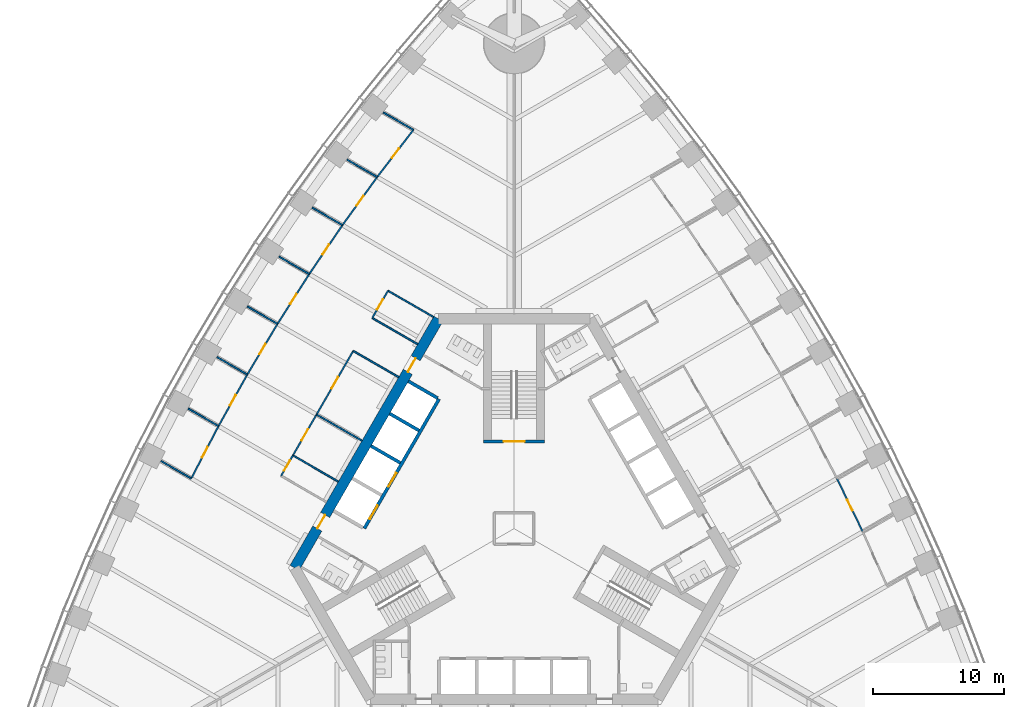
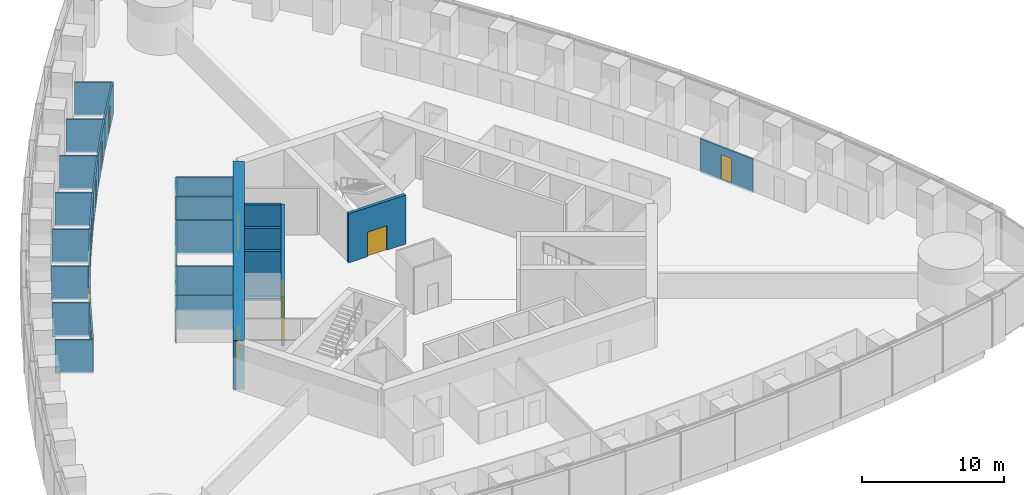
# One storey, part 12 of 19: 31 walls, 17 doors, 17 openings.
"""IFC4 building model written with IfcOpenShell, lengths in metres."""

import ifcopenshell
import ifcopenshell.guid

model = None  # the IFC model being written
_history = None  # IfcOwnerHistory: only IFC2X3 demands one
_inside = {}  # id of a spatial element -> (the spatial element, [elements in it])
_under = {}  # id of a project, library or spatial element -> (it, [spatial elements below it])
_declared = {}  # id of a project -> (the project, [libraries it declares])
_typed = {}  # id of a type object -> (the type object, [elements of that type])
_made_of = {}  # id of a material, layer set ... -> (it, [elements and type objects made of it])


def new_model(schema):
    """Start an empty IFC model of exactly this schema.

    Asked for "IFC4X3", IfcOpenShell would pick the latest addendum, in which some entities
    have other attributes; the version numbers below select the first issue.
    IFC2X3 requires an IfcOwnerHistory on every rooted entity: one is made here for all.
    """
    global model, _history
    if schema == "IFC4X3":
        model = ifcopenshell.file(schema_version=(4, 3, 0, 0))
    else:
        model = ifcopenshell.file(schema=schema)
    _inside.clear()
    _under.clear()
    _declared.clear()
    _typed.clear()
    _made_of.clear()
    _history = None
    if model.schema == "IFC2X3":
        org = make("IfcOrganization", Name="unknown")
        user = make(
            "IfcPersonAndOrganization",
            ThePerson=make("IfcPerson", FamilyName="unknown"),
            TheOrganization=org,
        )
        app = make(
            "IfcApplication",
            ApplicationDeveloper=org,
            Version="unknown",
            ApplicationFullName="unknown",
            ApplicationIdentifier="unknown",
        )
        _history = make(
            "IfcOwnerHistory",
            OwningUser=user,
            OwningApplication=app,
            ChangeAction="ADDED",
            CreationDate=0,
        )
    return model


def make(cls, **values):
    """One entity of the class cls with the attributes given. An attribute that is None is left unset."""
    return model.create_entity(
        cls, **{name: value for name, value in values.items() if value is not None}
    )


def rooted(cls, **values):
    """An entity with a GlobalId (a new one), such as an element, a storey or a relation."""
    return make(cls, GlobalId=ifcopenshell.guid.new(), OwnerHistory=_history, **values)


def si_unit(unit_type, name, prefix=None):
    """IfcSIUnit, for example si_unit("LENGTHUNIT", "METRE", prefix="MILLI")."""
    return make("IfcSIUnit", UnitType=unit_type, Prefix=prefix, Name=name)


def assignment(units):
    """IfcUnitAssignment: the units of a project."""
    return None if units is None else make("IfcUnitAssignment", Units=units)


def point(xyz):
    """IfcCartesianPoint."""
    return None if xyz is None else make("IfcCartesianPoint", Coordinates=xyz)


def direction(xyz):
    """IfcDirection."""
    return None if xyz is None else make("IfcDirection", DirectionRatios=xyz)


def frame(location, z_axis=None, x_axis=None):
    """IfcAxis2Placement3D, a coordinate frame: its origin and axes. An axis left out is left unset."""
    return make(
        "IfcAxis2Placement3D",
        Location=point(location),
        Axis=direction(z_axis),
        RefDirection=direction(x_axis),
    )


def frame_2d(location, x_axis=None):
    """IfcAxis2Placement2D, a coordinate frame in the plane: its origin and x axis."""
    return make(
        "IfcAxis2Placement2D", Location=point(location), RefDirection=direction(x_axis)
    )


def origin():
    """The frame at (0, 0, 0) with its axes left unset."""
    return frame((0.0, 0.0, 0.0))


def place(relative_to, where):
    """IfcLocalPlacement: puts the frame where relative to a parent placement (None: the world)."""
    return make(
        "IfcLocalPlacement", PlacementRelTo=relative_to, RelativePlacement=where
    )


def context(
    kind, dimensions, precision=None, world=None, true_north=None, identifier=None
):
    """IfcGeometricRepresentationContext, for example the 3D "Model" context."""
    return make(
        "IfcGeometricRepresentationContext",
        ContextIdentifier=identifier,
        ContextType=kind,
        CoordinateSpaceDimension=dimensions,
        Precision=precision,
        WorldCoordinateSystem=world,
        TrueNorth=true_north,
    )


def subcontext(parent, identifier, kind, view, scale=None):
    """IfcGeometricRepresentationSubContext, for example "Body" below "Model"."""
    return make(
        "IfcGeometricRepresentationSubContext",
        ContextIdentifier=identifier,
        ContextType=kind,
        ParentContext=parent,
        TargetScale=scale,
        TargetView=view,
    )


def project(units=None, contexts=None):
    """IfcProject with its units and contexts."""
    return rooted(
        "IfcProject",
        Name="project",
        RepresentationContexts=contexts,
        UnitsInContext=assignment(units),
    )


def spatial(cls, under=None, at=None, **own):
    """A site, building, storey or space (cls), placed at a placement, below another one or the project."""
    s = rooted(cls, ObjectPlacement=at, **own)
    if under is not None:
        _under.setdefault(under.id(), (under, []))[1].append(s)
    return s


def profile(cls, at=None, kind="AREA", **sizes):
    """A parametric profile (cls). Its sizes go by their IFC names, for example OverallWidth=200.0."""
    return make(cls, ProfileType=kind, Position=at, **sizes)


def rectangle(**sizes):
    """IfcRectangleProfileDef."""
    return profile("IfcRectangleProfileDef", **sizes)


def extrude(swept, where, along, depth):
    """IfcExtrudedAreaSolid: the profile swept, set in the frame where, extruded along a direction by depth."""
    return make(
        "IfcExtrudedAreaSolid",
        SweptArea=swept,
        Position=where,
        ExtrudedDirection=direction(along),
        Depth=depth,
    )


def shape(context_of_items, identifier, shape_type, items):
    """IfcShapeRepresentation: the items that make up one representation, for example the "Body"."""
    return make(
        "IfcShapeRepresentation",
        ContextOfItems=context_of_items,
        RepresentationIdentifier=identifier,
        RepresentationType=shape_type,
        Items=items,
    )


def material(Name=None, Category=None):
    """IfcMaterial."""
    return make("IfcMaterial", Name=Name, Category=Category)


def layer(
    of_material, thickness, ventilated=None, Name=None, Category=None, Priority=None
):
    """IfcMaterialLayer: one layer of a wall or slab, of a material (None: an air gap)."""
    return make(
        "IfcMaterialLayer",
        Material=of_material,
        LayerThickness=thickness,
        IsVentilated=ventilated,
        Name=Name,
        Category=Category,
        Priority=Priority,
    )


def layer_set(layers, Name=None):
    """IfcMaterialLayerSet."""
    return make("IfcMaterialLayerSet", MaterialLayers=layers, LayerSetName=Name)


def made_of(thing, what):
    """Note that an element or type object is made of a material, layer set ...; save() writes the relation."""
    if what is not None:
        _made_of.setdefault(what.id(), (what, []))[1].append(thing)
    return thing


def type_object(cls, material=None, **own):
    """A type object (cls), such as IfcWallType, which elements share."""
    return made_of(rooted(cls, **own), material)


def element(
    cls,
    number,
    at=None,
    inside=None,
    cuts=None,
    type_object=None,
    material=None,
    context=None,
    identifier="Body",
    shape_type=None,
    held_by="IfcProductDefinitionShape",
    body=None,
    shapes=None,
    **own,
):
    """One element of the class cls, such as IfcWall. Its Tag is "e" and its number.

    at: its placement. inside: the storey or other place that contains it. cuts: it is an
    opening in that element (IfcRelVoidsElement). A single representation is given by context,
    identifier, shape_type and body (its items); several are given by shapes. held_by: the class
    of the entity that holds the representations. save() writes the other relations.
    """
    e = rooted(cls, Tag="e%d" % number, ObjectPlacement=at, **own)
    if body is not None:
        shapes = [shape(context, identifier, shape_type, body)]
    if shapes is not None:
        e.Representation = make(held_by, Representations=shapes)
    if inside is not None:
        _inside.setdefault(inside.id(), (inside, []))[1].append(e)
    if cuts is not None:
        rooted(
            "IfcRelVoidsElement", RelatingBuildingElement=cuts, RelatedOpeningElement=e
        )
    if type_object is not None:
        _typed.setdefault(type_object.id(), (type_object, []))[1].append(e)
    return made_of(e, material)


def fill(opening, filler):
    """IfcRelFillsElement: the door or window that sits in an opening."""
    return rooted(
        "IfcRelFillsElement",
        RelatingOpeningElement=opening,
        RelatedBuildingElement=filler,
    )


def aggregate(whole, parts):
    """IfcRelAggregates: a whole, such as a stair, and the parts it consists of."""
    return rooted("IfcRelAggregates", RelatingObject=whole, RelatedObjects=parts)


def save(model, path):
    """Write the relations noted so far, then the file.

    IfcRelAggregates (storeys below a building ...), IfcRelContainedInSpatialStructure (elements
    in a storey), IfcRelDefinesByType, IfcRelAssociatesMaterial and IfcRelDeclares: one each for
    every whole, place, type object, material and project.
    """
    for whole, parts in _under.values():
        aggregate(whole, parts)
    for where, things in _inside.values():
        rooted(
            "IfcRelContainedInSpatialStructure",
            RelatedElements=things,
            RelatingStructure=where,
        )
    for kind, things in _typed.values():
        rooted("IfcRelDefinesByType", RelatedObjects=things, RelatingType=kind)
    for what, things in _made_of.values():
        rooted("IfcRelAssociatesMaterial", RelatedObjects=things, RelatingMaterial=what)
    for by, libraries in _declared.values():
        rooted("IfcRelDeclares", RelatingContext=by, RelatedDefinitions=libraries)
    model.write(path)


model = new_model("IFC4")

# Units and contexts
model_context = context("Model", 3, precision=1e-05, world=origin(), true_north=direction((0.0, 1.0)))
body_context = subcontext(model_context, "Body", "Model", "MODEL_VIEW")
ifc_project = project(units=[si_unit("LENGTHUNIT", "METRE"), si_unit("AREAUNIT", "SQUARE_METRE"), si_unit("VOLUMEUNIT", "CUBIC_METRE"), si_unit("PLANEANGLEUNIT", "RADIAN"), si_unit("MASSUNIT", "GRAM", prefix="KILO")], contexts=[model_context])

# Site, building, storey
site_placement = place(None, origin())
site = spatial("IfcSite", under=ifc_project, at=site_placement, CompositionType="ELEMENT")
building_placement = place(site_placement, origin())
building = spatial("IfcBuilding", under=site, at=building_placement, Name="Trefoil Bronze Tower", CompositionType="ELEMENT")
storey_placement = place(building_placement, frame((0.0, 0.0, 16.5)))
storey = spatial("IfcBuildingStorey", under=building, at=storey_placement, Name="L03", CompositionType="ELEMENT", Elevation=16.5)

# Wall, openings, doors
ifc_material_1 = material(Name="Concrete B80", Category="concrete")
ifc_layer_1 = layer(ifc_material_1, 0.800048828125)
ifc_layer_set_1 = layer_set([ifc_layer_1], Name="Core wall 800")
wall_type_1 = type_object("IfcWallType", Name="Core wall 800", PredefinedType="SHEAR", material=ifc_layer_set_1)
wall_1_placement = place(storey_placement, frame((-5.7734375, 16.0, 0.0), z_axis=(0.0, 0.0, 1.0), x_axis=(-0.500002442456, -0.866023993627, 0.0)))
wall_1 = element("IfcWall", 1, at=wall_1_placement, inside=storey, type_object=wall_type_1, Name="Core long wall 3 L03", PredefinedType="SHEAR", context=body_context, shape_type="SweptSolid", body=[
    extrude(rectangle(XDim=21.939453125, YDim=0.800048828125, at=frame_2d((10.9697265625, 0.0))), origin(), (0.0, 0.0, 1.0), 4.199951171875),
])
opening_1_placement = place(wall_1_placement, frame((17.269775390625, 0.0, 0.0)))
opening_1 = element("IfcOpeningElement", 2, at=opening_1_placement, cuts=wall_1, Name="Opening D2", PredefinedType="OPENING", context=body_context, shape_type="SweptSolid", body=[
    extrude(rectangle(XDim=1.199951171875, YDim=2.10009765625, at=frame_2d((0.60009765625, 1.050048828125))), frame((0.0, 0.409912109375, 0.0), z_axis=(0.0, -1.0, 0.0), x_axis=(1.0, 0.0, 0.0)), (0.0, 0.0, 1.0), 0.820068359375),
])
opening_2_placement = place(wall_1_placement, frame((3.4697265625, 0.0, 0.0)))
opening_2 = element("IfcOpeningElement", 3, at=opening_2_placement, cuts=wall_1, Name="Opening D2", PredefinedType="OPENING", context=body_context, shape_type="SweptSolid", body=[
    extrude(rectangle(XDim=1.199951171875, YDim=2.10009765625, at=frame_2d((0.60009765625, 1.050048828125))), frame((0.0, 0.409912109375, 0.0), z_axis=(0.0, -1.0, 0.0), x_axis=(1.0, 0.0, 0.0)), (0.0, 0.0, 1.0), 0.820068359375),
])
ifc_material_2 = material(Name="Steel door", Category="steel")
door_type_1 = type_object("IfcDoorType", Name="Lobby door 1200", OperationType="SINGLE_SWING_RIGHT", PredefinedType="DOOR", material=ifc_material_2)
door_1_placement = place(opening_1_placement, origin())
door_1 = element("IfcDoor", 4, at=door_1_placement, inside=storey, type_object=door_type_1, Name="Lobby door F3+ L03", OperationType="SINGLE_SWING_RIGHT", OverallHeight=2.10009765625, OverallWidth=1.199951171875, PredefinedType="DOOR", context=body_context, shape_type="SweptSolid", body=[
    extrude(rectangle(XDim=1.199951171875, YDim=2.10009765625, at=frame_2d((0.60009765625, 1.050048828125))), frame((0.0, 0.02490234375, 0.0), z_axis=(0.0, -1.0, 0.0), x_axis=(1.0, 0.0, 0.0)), (0.0, 0.0, 1.0), 0.050048828125),
])
fill(opening_1, door_1)
door_2_placement = place(opening_2_placement, origin())
door_2 = element("IfcDoor", 5, at=door_2_placement, inside=storey, type_object=door_type_1, Name="Lobby door F3- L03", OperationType="SINGLE_SWING_LEFT", OverallHeight=2.10009765625, OverallWidth=1.199951171875, PredefinedType="DOOR", context=body_context, shape_type="SweptSolid", body=[
    extrude(rectangle(XDim=1.199951171875, YDim=2.10009765625, at=frame_2d((0.60009765625, 1.050048828125))), frame((0.0, 0.02490234375, 0.0), z_axis=(0.0, -1.0, 0.0), x_axis=(1.0, 0.0, 0.0)), (0.0, 0.0, 1.0), 0.050048828125),
])
fill(opening_2, door_2)

# Wall, opening, door
ifc_material_3 = material(Name="Glazed partition", Category="glass")
ifc_layer_2 = layer(ifc_material_3, 0.1201171875)
ifc_layer_set_2 = layer_set([ifc_layer_2], Name="Glazed partition 120")
wall_type_2 = type_object("IfcWallType", Name="Glazed partition 120", PredefinedType="PARTITIONING", material=ifc_layer_set_2)
wall_2_placement = place(storey_placement, frame((26.590576171875, -0.236328125, 0.0), z_axis=(0.0, 0.0, 1.0), x_axis=(-0.435857917556, 0.900015486369, 0.0)))
wall_2 = element("IfcWall", 6, at=wall_2_placement, inside=storey, type_object=wall_type_2, Name="Partition F2 L03", PredefinedType="PARTITIONING", context=body_context, shape_type="SweptSolid", body=[
    extrude(rectangle(XDim=4.511962890625, YDim=0.1201171875, at=frame_2d((2.255859375, 0.0))), origin(), (0.0, 0.0, 1.0), 2.89990234375),
])
opening_3_placement = place(wall_2_placement, frame((1.800048828125, 0.0, 0.14990234375)))
opening_3 = element("IfcOpeningElement", 7, at=opening_3_placement, cuts=wall_2, Name="Opening D8", PredefinedType="OPENING", context=body_context, shape_type="SweptSolid", body=[
    extrude(rectangle(XDim=0.89990234375, YDim=2.10009765625, at=frame_2d((0.449951171875, 1.050048828125))), frame((0.0, 0.070068359375, 0.0), z_axis=(0.0, -1.0, 0.0), x_axis=(1.0, 0.0, 0.0)), (0.0, 0.0, 1.0), 0.14013671875),
])
ifc_material_4 = material(Name="Timber door", Category="wood")
door_type_2 = type_object("IfcDoorType", Name="Office door 900", OperationType="SINGLE_SWING_LEFT", PredefinedType="DOOR", material=ifc_material_4)
door_3_placement = place(opening_3_placement, frame((0.89990234375, 0.0, 0.0), z_axis=(0.0, 0.0, 1.0), x_axis=(-1.0, 0.0, 0.0)))
door_3 = element("IfcDoor", 8, at=door_3_placement, inside=storey, type_object=door_type_2, Name="Office door F2 L03", OperationType="SINGLE_SWING_RIGHT", OverallHeight=2.10009765625, OverallWidth=0.89990234375, PredefinedType="DOOR", context=body_context, shape_type="SweptSolid", body=[
    extrude(rectangle(XDim=0.89990234375, YDim=2.10009765625, at=frame_2d((0.449951171875, 1.050048828125))), frame((0.0, 0.02490234375, 0.0), z_axis=(0.0, -1.0, 0.0), x_axis=(1.0, 0.0, 0.0)), (0.0, 0.0, 1.0), 0.050048828125),
])
fill(opening_3, door_3)

wall_3_placement = place(storey_placement, frame((-16.868896484375, 5.582275390625, 0.0), z_axis=(0.0, 0.0, 1.0), x_axis=(-0.499961193289, -0.866047807691, 0.0)))
wall_3 = element("IfcWall", 9, at=wall_3_placement, inside=storey, type_object=wall_type_2, Name="Partition F3 L03", PredefinedType="PARTITIONING", context=body_context, shape_type="SweptSolid", body=[
    extrude(rectangle(XDim=1.800048828125, YDim=0.1201171875, at=frame_2d((0.89990234375, 0.0))), origin(), (0.0, 0.0, 1.0), 2.89990234375),
])
opening_4_placement = place(wall_3_placement, frame((0.449951171875, 0.0, 0.14990234375)))
opening_4 = element("IfcOpeningElement", 10, at=opening_4_placement, cuts=wall_3, Name="Opening D8", PredefinedType="OPENING", context=body_context, shape_type="SweptSolid", body=[
    extrude(rectangle(XDim=0.89990234375, YDim=2.10009765625, at=frame_2d((0.449951171875, 1.050048828125))), frame((0.0, 0.070068359375, 0.0), z_axis=(0.0, -1.0, 0.0), x_axis=(1.0, 0.0, 0.0)), (0.0, 0.0, 1.0), 0.14013671875),
])
door_4_placement = place(opening_4_placement, origin())
door_4 = element("IfcDoor", 11, at=door_4_placement, inside=storey, type_object=door_type_2, Name="Phone room door F3 L03", OperationType="SINGLE_SWING_RIGHT", OverallHeight=2.10009765625, OverallWidth=0.89990234375, PredefinedType="DOOR", context=body_context, shape_type="SweptSolid", body=[
    extrude(rectangle(XDim=0.89990234375, YDim=2.10009765625, at=frame_2d((0.449951171875, 1.050048828125))), frame((0.0, 0.02490234375, 0.0), z_axis=(0.0, -1.0, 0.0), x_axis=(1.0, 0.0, 0.0)), (0.0, 0.0, 1.0), 0.050048828125),
])
fill(opening_4, door_4)

wall_4_placement = place(storey_placement, frame((-15.06884765625, 8.699951171875, 0.0), z_axis=(0.0, 0.0, 1.0), x_axis=(-0.500012057535, -0.866018442252, 0.0)))
wall_4 = element("IfcWall", 12, at=wall_4_placement, inside=storey, type_object=wall_type_2, Name="Partition F3 L03", PredefinedType="PARTITIONING", context=body_context, shape_type="SweptSolid", body=[
    extrude(rectangle(XDim=3.60009765625, YDim=0.1201171875, at=frame_2d((1.800048828125, 0.0))), origin(), (0.0, 0.0, 1.0), 2.89990234375),
])
opening_5_placement = place(wall_4_placement, frame((1.300048828125, 0.0, 0.14990234375)))
opening_5 = element("IfcOpeningElement", 13, at=opening_5_placement, cuts=wall_4, Name="Opening D9", PredefinedType="OPENING", context=body_context, shape_type="SweptSolid", body=[
    extrude(rectangle(XDim=1.0, YDim=2.10009765625, at=frame_2d((0.5, 1.050048828125))), frame((0.0, 0.070068359375, 0.0), z_axis=(0.0, -1.0, 0.0), x_axis=(1.0, 0.0, 0.0)), (0.0, 0.0, 1.0), 0.14013671875),
])
ifc_material_5 = material(Name="Glazed timber door", Category="wood")
door_type_3 = type_object("IfcDoorType", Name="Meeting room door 1000", OperationType="SINGLE_SWING_LEFT", PredefinedType="DOOR", material=ifc_material_5)
door_5_placement = place(opening_5_placement, origin())
door_5 = element("IfcDoor", 14, at=door_5_placement, inside=storey, type_object=door_type_3, Name="Meeting room door F3 L03", OperationType="SINGLE_SWING_LEFT", OverallHeight=2.10009765625, OverallWidth=1.0, PredefinedType="DOOR", context=body_context, shape_type="SweptSolid", body=[
    extrude(rectangle(XDim=1.0, YDim=2.10009765625, at=frame_2d((0.5, 1.050048828125))), frame((0.0, 0.02490234375, 0.0), z_axis=(0.0, -1.0, 0.0), x_axis=(1.0, 0.0, 0.0)), (0.0, 0.0, 1.0), 0.050048828125),
])
fill(opening_5, door_5)

wall_5_placement = place(storey_placement, frame((-9.618896484375, 18.1396484375, 0.0), z_axis=(0.0, 0.0, 1.0), x_axis=(-0.500001309137, -0.866024647952, 0.0)))
wall_5 = element("IfcWall", 15, at=wall_5_placement, inside=storey, type_object=wall_type_2, Name="Partition F3 L03", PredefinedType="PARTITIONING", context=body_context, shape_type="SweptSolid", body=[
    extrude(rectangle(XDim=2.39990234375, YDim=0.1201171875, at=frame_2d((1.199951171875, 0.0))), origin(), (0.0, 0.0, 1.0), 2.89990234375),
])
opening_6_placement = place(wall_5_placement, frame((0.75, 0.0, 0.14990234375)))
opening_6 = element("IfcOpeningElement", 16, at=opening_6_placement, cuts=wall_5, Name="Opening D8", PredefinedType="OPENING", context=body_context, shape_type="SweptSolid", body=[
    extrude(rectangle(XDim=0.89990234375, YDim=2.10009765625, at=frame_2d((0.449951171875, 1.050048828125))), frame((0.0, 0.070068359375, 0.0), z_axis=(0.0, -1.0, 0.0), x_axis=(1.0, 0.0, 0.0)), (0.0, 0.0, 1.0), 0.14013671875),
])
door_6_placement = place(opening_6_placement, origin())
door_6 = element("IfcDoor", 17, at=door_6_placement, inside=storey, type_object=door_type_2, Name="Print and store room door F3 L03", OperationType="SINGLE_SWING_RIGHT", OverallHeight=2.10009765625, OverallWidth=0.89990234375, PredefinedType="DOOR", context=body_context, shape_type="SweptSolid", body=[
    extrude(rectangle(XDim=0.89990234375, YDim=2.10009765625, at=frame_2d((0.449951171875, 1.050048828125))), frame((0.0, 0.02490234375, 0.0), z_axis=(0.0, -1.0, 0.0), x_axis=(1.0, 0.0, 0.0)), (0.0, 0.0, 1.0), 0.050048828125),
])
fill(opening_6, door_6)

wall_6_placement = place(storey_placement, frame((-12.268798828125, 13.5498046875, 0.0), z_axis=(0.0, 0.0, 1.0), x_axis=(-0.49999793692, -0.866026594901, 0.0)))
wall_6 = element("IfcWall", 18, at=wall_6_placement, inside=storey, type_object=wall_type_2, Name="Partition F3 L03", PredefinedType="PARTITIONING", context=body_context, shape_type="SweptSolid", body=[
    extrude(rectangle(XDim=5.60009765625, YDim=0.1201171875, at=frame_2d((2.800048828125, 0.0))), origin(), (0.0, 0.0, 1.0), 2.89990234375),
])
opening_7_placement = place(wall_6_placement, frame((2.300048828125, 0.0, 0.14990234375)))
opening_7 = element("IfcOpeningElement", 19, at=opening_7_placement, cuts=wall_6, Name="Opening D9", PredefinedType="OPENING", context=body_context, shape_type="SweptSolid", body=[
    extrude(rectangle(XDim=1.0, YDim=2.10009765625, at=frame_2d((0.5, 1.050048828125))), frame((0.0, 0.070068359375, 0.0), z_axis=(0.0, -1.0, 0.0), x_axis=(1.0, 0.0, 0.0)), (0.0, 0.0, 1.0), 0.14013671875),
])
door_7_placement = place(opening_7_placement, origin())
door_7 = element("IfcDoor", 20, at=door_7_placement, inside=storey, type_object=door_type_3, Name="Meeting room door F3 L03", OperationType="SINGLE_SWING_RIGHT", OverallHeight=2.10009765625, OverallWidth=1.0, PredefinedType="DOOR", context=body_context, shape_type="SweptSolid", body=[
    extrude(rectangle(XDim=1.0, YDim=2.10009765625, at=frame_2d((0.5, 1.050048828125))), frame((0.0, 0.02490234375, 0.0), z_axis=(0.0, -1.0, 0.0), x_axis=(1.0, 0.0, 0.0)), (0.0, 0.0, 1.0), 0.050048828125),
])
fill(opening_7, door_7)

# Walls
for number, where, z_axis, x_axis, name in (
    (21, (-13.40478515625, 3.582275390625, 0.0), (0.0, 0.0, 1.0), (-0.866026010844, 0.49999894854, 0.0), "Partition F3 L03"),
    (22, (-11.604736328125, 6.699951171875, 0.0), (0.0, 0.0, 1.0), (-0.866026010844, 0.49999894854, 0.0), "Partition F3 L03"),
    (23, (-6.15478515625, 16.1396484375, 0.0), (0.0, 0.0, 1.0), (-0.866026010844, 0.49999894854, 0.0), "Partition F3 L03"),
    (24, (-8.8046875, 11.5498046875, 0.0), (0.0, 0.0, 1.0), (-0.866026010844, 0.49999894854, 0.0), "Partition F3 L03"),
    (25, (-7.354736328125, 14.061279296875, 0.0), (0.0, 0.0, 1.0), (-0.866026010844, 0.49999894854, 0.0), "Partition F3 L03"),
):
    element("IfcWall", number, at=place(storey_placement, frame(where, z_axis=z_axis, x_axis=x_axis)), inside=storey, type_object=wall_type_2, Name=name, PredefinedType="PARTITIONING", context=body_context, shape_type="SweptSolid", body=[
        extrude(rectangle(XDim=4.0, YDim=0.1201171875, at=frame_2d((2.0, 0.0))), origin(), (0.0, 0.0, 1.0), 2.89990234375),
    ])

# Wall, opening, door
wall_7_placement = place(storey_placement, frame((-20.3505859375, 11.749267578125, 0.0), z_axis=(0.0, 0.0, 1.0), x_axis=(-0.487373854787, -0.873193406795, 0.0)))
wall_7 = element("IfcWall", 26, at=wall_7_placement, inside=storey, type_object=wall_type_2, Name="Partition F3 L03", PredefinedType="PARTITIONING", context=body_context, shape_type="SweptSolid", body=[
    extrude(rectangle(XDim=4.500244140625, YDim=0.1201171875, at=frame_2d((2.25, 0.0))), origin(), (0.0, 0.0, 1.0), 2.89990234375),
])
opening_8_placement = place(wall_7_placement, frame((1.800048828125, 0.0, 0.14990234375)))
opening_8 = element("IfcOpeningElement", 27, at=opening_8_placement, cuts=wall_7, Name="Opening D8", PredefinedType="OPENING", context=body_context, shape_type="SweptSolid", body=[
    extrude(rectangle(XDim=0.89990234375, YDim=2.10009765625, at=frame_2d((0.449951171875, 1.050048828125))), frame((0.0, 0.070068359375, 0.0), z_axis=(0.0, -1.0, 0.0), x_axis=(1.0, 0.0, 0.0)), (0.0, 0.0, 1.0), 0.14013671875),
])
door_8_placement = place(opening_8_placement, frame((0.89990234375, 0.0, 0.0), z_axis=(0.0, 0.0, 1.0), x_axis=(-1.0, 0.0, 0.0)))
door_8 = element("IfcDoor", 28, at=door_8_placement, inside=storey, type_object=door_type_2, Name="Office door F3 L03", OperationType="SINGLE_SWING_RIGHT", OverallHeight=2.10009765625, OverallWidth=0.89990234375, PredefinedType="DOOR", context=body_context, shape_type="SweptSolid", body=[
    extrude(rectangle(XDim=0.89990234375, YDim=2.10009765625, at=frame_2d((0.449951171875, 1.050048828125))), frame((0.0, 0.02490234375, 0.0), z_axis=(0.0, -1.0, 0.0), x_axis=(1.0, 0.0, 0.0)), (0.0, 0.0, 1.0), 0.050048828125),
])
fill(opening_8, door_8)

wall_8_placement = place(storey_placement, frame((-22.5439453125, 7.819580078125, 0.0), z_axis=(0.0, 0.0, 1.0), x_axis=(-0.461810056307, -0.886978845235, 0.0)))
wall_8 = element("IfcWall", 29, at=wall_8_placement, inside=storey, type_object=wall_type_2, Name="Partition F3 L03", PredefinedType="PARTITIONING", context=body_context, shape_type="SweptSolid", body=[
    extrude(rectangle(XDim=4.504150390625, YDim=0.1201171875, at=frame_2d((2.251953125, 0.0))), origin(), (0.0, 0.0, 1.0), 2.89990234375),
])
opening_9_placement = place(wall_8_placement, frame((1.800048828125, 0.0, 0.14990234375)))
opening_9 = element("IfcOpeningElement", 30, at=opening_9_placement, cuts=wall_8, Name="Opening D8", PredefinedType="OPENING", context=body_context, shape_type="SweptSolid", body=[
    extrude(rectangle(XDim=0.89990234375, YDim=2.10009765625, at=frame_2d((0.449951171875, 1.050048828125))), frame((0.0, 0.070068359375, 0.0), z_axis=(0.0, -1.0, 0.0), x_axis=(1.0, 0.0, 0.0)), (0.0, 0.0, 1.0), 0.14013671875),
])
door_9_placement = place(opening_9_placement, frame((0.89990234375, 0.0, 0.0), z_axis=(0.0, 0.0, 1.0), x_axis=(-1.0, 0.0, 0.0)))
door_9 = element("IfcDoor", 31, at=door_9_placement, inside=storey, type_object=door_type_2, Name="Office door F3 L03", OperationType="SINGLE_SWING_RIGHT", OverallHeight=2.10009765625, OverallWidth=0.89990234375, PredefinedType="DOOR", context=body_context, shape_type="SweptSolid", body=[
    extrude(rectangle(XDim=0.89990234375, YDim=2.10009765625, at=frame_2d((0.449951171875, 1.050048828125))), frame((0.0, 0.02490234375, 0.0), z_axis=(0.0, -1.0, 0.0), x_axis=(1.0, 0.0, 0.0)), (0.0, 0.0, 1.0), 0.050048828125),
])
fill(opening_9, door_9)

wall_9_placement = place(storey_placement, frame((-13.090576171875, 23.146240234375, 0.0), z_axis=(0.0, 0.0, 1.0), x_axis=(-0.561512004239, -0.827468591002, 0.0)))
wall_9 = element("IfcWall", 32, at=wall_9_placement, inside=storey, type_object=wall_type_2, Name="Partition F3 L03", PredefinedType="PARTITIONING", context=body_context, shape_type="SweptSolid", body=[
    extrude(rectangle(XDim=4.51171875, YDim=0.1201171875, at=frame_2d((2.255859375, 0.0))), origin(), (0.0, 0.0, 1.0), 2.89990234375),
])
opening_10_placement = place(wall_9_placement, frame((1.800048828125, 0.0, 0.14990234375)))
opening_10 = element("IfcOpeningElement", 33, at=opening_10_placement, cuts=wall_9, Name="Opening D8", PredefinedType="OPENING", context=body_context, shape_type="SweptSolid", body=[
    extrude(rectangle(XDim=0.89990234375, YDim=2.10009765625, at=frame_2d((0.449951171875, 1.050048828125))), frame((0.0, 0.070068359375, 0.0), z_axis=(0.0, -1.0, 0.0), x_axis=(1.0, 0.0, 0.0)), (0.0, 0.0, 1.0), 0.14013671875),
])
door_10_placement = place(opening_10_placement, frame((0.89990234375, 0.0, 0.0), z_axis=(0.0, 0.0, 1.0), x_axis=(-1.0, 0.0, 0.0)))
door_10 = element("IfcDoor", 34, at=door_10_placement, inside=storey, type_object=door_type_2, Name="Office door F3 L03", OperationType="SINGLE_SWING_RIGHT", OverallHeight=2.10009765625, OverallWidth=0.89990234375, PredefinedType="DOOR", context=body_context, shape_type="SweptSolid", body=[
    extrude(rectangle(XDim=0.89990234375, YDim=2.10009765625, at=frame_2d((0.449951171875, 1.050048828125))), frame((0.0, 0.02490234375, 0.0), z_axis=(0.0, -1.0, 0.0), x_axis=(1.0, 0.0, 0.0)), (0.0, 0.0, 1.0), 0.050048828125),
])
fill(opening_10, door_10)

wall_10_placement = place(storey_placement, frame((-10.44287109375, 26.813720703125, 0.0), z_axis=(0.0, 0.0, 1.0), x_axis=(-0.58534077607, -0.810787380187, 0.0)))
wall_10 = element("IfcWall", 35, at=wall_10_placement, inside=storey, type_object=wall_type_2, Name="Partition F3 L03", PredefinedType="PARTITIONING", context=body_context, shape_type="SweptSolid", body=[
    extrude(rectangle(XDim=4.5234375, YDim=0.1201171875, at=frame_2d((2.26171875, 0.0))), origin(), (0.0, 0.0, 1.0), 2.89990234375),
])
opening_11_placement = place(wall_10_placement, frame((1.800048828125, 0.0, 0.14990234375)))
opening_11 = element("IfcOpeningElement", 36, at=opening_11_placement, cuts=wall_10, Name="Opening D8", PredefinedType="OPENING", context=body_context, shape_type="SweptSolid", body=[
    extrude(rectangle(XDim=0.89990234375, YDim=2.10009765625, at=frame_2d((0.449951171875, 1.050048828125))), frame((0.0, 0.070068359375, 0.0), z_axis=(0.0, -1.0, 0.0), x_axis=(1.0, 0.0, 0.0)), (0.0, 0.0, 1.0), 0.14013671875),
])
door_11_placement = place(opening_11_placement, frame((0.89990234375, 0.0, 0.0), z_axis=(0.0, 0.0, 1.0), x_axis=(-1.0, 0.0, 0.0)))
door_11 = element("IfcDoor", 37, at=door_11_placement, inside=storey, type_object=door_type_2, Name="Office door F3 L03", OperationType="SINGLE_SWING_RIGHT", OverallHeight=2.10009765625, OverallWidth=0.89990234375, PredefinedType="DOOR", context=body_context, shape_type="SweptSolid", body=[
    extrude(rectangle(XDim=0.89990234375, YDim=2.10009765625, at=frame_2d((0.449951171875, 1.050048828125))), frame((0.0, 0.02490234375, 0.0), z_axis=(0.0, -1.0, 0.0), x_axis=(1.0, 0.0, 0.0)), (0.0, 0.0, 1.0), 0.050048828125),
])
fill(opening_11, door_11)

wall_11_placement = place(storey_placement, frame((-7.679443359375, 30.41455078125, 0.0), z_axis=(0.0, 0.0, 1.0), x_axis=(-0.608818785139, -0.79330932609, 0.0)))
wall_11 = element("IfcWall", 38, at=wall_11_placement, inside=storey, type_object=wall_type_2, Name="Partition F3 L03", PredefinedType="PARTITIONING", context=body_context, shape_type="SweptSolid", body=[
    extrude(rectangle(XDim=4.5390625, YDim=0.1201171875, at=frame_2d((2.26953125, 0.0))), origin(), (0.0, 0.0, 1.0), 2.89990234375),
])
opening_12_placement = place(wall_11_placement, frame((1.800048828125, 0.0, 0.14990234375)))
opening_12 = element("IfcOpeningElement", 39, at=opening_12_placement, cuts=wall_11, Name="Opening D8", PredefinedType="OPENING", context=body_context, shape_type="SweptSolid", body=[
    extrude(rectangle(XDim=0.89990234375, YDim=2.10009765625, at=frame_2d((0.449951171875, 1.050048828125))), frame((0.0, 0.070068359375, 0.0), z_axis=(0.0, -1.0, 0.0), x_axis=(1.0, 0.0, 0.0)), (0.0, 0.0, 1.0), 0.14013671875),
])
door_12_placement = place(opening_12_placement, frame((0.89990234375, 0.0, 0.0), z_axis=(0.0, 0.0, 1.0), x_axis=(-1.0, 0.0, 0.0)))
door_12 = element("IfcDoor", 40, at=door_12_placement, inside=storey, type_object=door_type_2, Name="Office door F3 L03", OperationType="SINGLE_SWING_RIGHT", OverallHeight=2.10009765625, OverallWidth=0.89990234375, PredefinedType="DOOR", context=body_context, shape_type="SweptSolid", body=[
    extrude(rectangle(XDim=0.89990234375, YDim=2.10009765625, at=frame_2d((0.449951171875, 1.050048828125))), frame((0.0, 0.02490234375, 0.0), z_axis=(0.0, -1.0, 0.0), x_axis=(1.0, 0.0, 0.0)), (0.0, 0.0, 1.0), 0.050048828125),
])
fill(opening_12, door_12)

wall_12_placement = place(storey_placement, frame((-18.0439453125, 15.61376953125, 0.0), z_axis=(0.0, 0.0, 1.0), x_axis=(-0.51252396108, -0.858672923364, 0.0)))
wall_12 = element("IfcWall", 41, at=wall_12_placement, inside=storey, type_object=wall_type_2, Name="Partition F3 L03", PredefinedType="PARTITIONING", context=body_context, shape_type="SweptSolid", body=[
    extrude(rectangle(XDim=4.50048828125, YDim=0.1201171875, at=frame_2d((2.250244140625, 0.0))), origin(), (0.0, 0.0, 1.0), 2.89990234375),
])
opening_13_placement = place(wall_12_placement, frame((1.800048828125, 0.0, 0.14990234375)))
opening_13 = element("IfcOpeningElement", 42, at=opening_13_placement, cuts=wall_12, Name="Opening D8", PredefinedType="OPENING", context=body_context, shape_type="SweptSolid", body=[
    extrude(rectangle(XDim=0.89990234375, YDim=2.10009765625, at=frame_2d((0.449951171875, 1.050048828125))), frame((0.0, 0.070068359375, 0.0), z_axis=(0.0, -1.0, 0.0), x_axis=(1.0, 0.0, 0.0)), (0.0, 0.0, 1.0), 0.14013671875),
])
door_13_placement = place(opening_13_placement, frame((0.89990234375, 0.0, 0.0), z_axis=(0.0, 0.0, 1.0), x_axis=(-1.0, 0.0, 0.0)))
door_13 = element("IfcDoor", 43, at=door_13_placement, inside=storey, type_object=door_type_2, Name="Office door F3 L03", OperationType="SINGLE_SWING_RIGHT", OverallHeight=2.10009765625, OverallWidth=0.89990234375, PredefinedType="DOOR", context=body_context, shape_type="SweptSolid", body=[
    extrude(rectangle(XDim=0.89990234375, YDim=2.10009765625, at=frame_2d((0.449951171875, 1.050048828125))), frame((0.0, 0.02490234375, 0.0), z_axis=(0.0, -1.0, 0.0), x_axis=(1.0, 0.0, 0.0)), (0.0, 0.0, 1.0), 0.050048828125),
])
fill(opening_13, door_13)

wall_13_placement = place(storey_placement, frame((-15.6240234375, 19.412841796875, 0.0), z_axis=(0.0, 0.0, 1.0), x_axis=(-0.537243691336, -0.843427066272, 0.0)))
wall_13 = element("IfcWall", 44, at=wall_13_placement, inside=storey, type_object=wall_type_2, Name="Partition F3 L03", PredefinedType="PARTITIONING", context=body_context, shape_type="SweptSolid", body=[
    extrude(rectangle(XDim=4.50439453125, YDim=0.1201171875, at=frame_2d((2.252197265625, 0.0))), origin(), (0.0, 0.0, 1.0), 2.89990234375),
])
opening_14_placement = place(wall_13_placement, frame((1.800048828125, 0.0, 0.14990234375)))
opening_14 = element("IfcOpeningElement", 45, at=opening_14_placement, cuts=wall_13, Name="Opening D8", PredefinedType="OPENING", context=body_context, shape_type="SweptSolid", body=[
    extrude(rectangle(XDim=0.89990234375, YDim=2.10009765625, at=frame_2d((0.449951171875, 1.050048828125))), frame((0.0, 0.070068359375, 0.0), z_axis=(0.0, -1.0, 0.0), x_axis=(1.0, 0.0, 0.0)), (0.0, 0.0, 1.0), 0.14013671875),
])
door_14_placement = place(opening_14_placement, frame((0.89990234375, 0.0, 0.0), z_axis=(0.0, 0.0, 1.0), x_axis=(-1.0, 0.0, 0.0)))
door_14 = element("IfcDoor", 46, at=door_14_placement, inside=storey, type_object=door_type_2, Name="Office door F3 L03", OperationType="SINGLE_SWING_RIGHT", OverallHeight=2.10009765625, OverallWidth=0.89990234375, PredefinedType="DOOR", context=body_context, shape_type="SweptSolid", body=[
    extrude(rectangle(XDim=0.89990234375, YDim=2.10009765625, at=frame_2d((0.449951171875, 1.050048828125))), frame((0.0, 0.02490234375, 0.0), z_axis=(0.0, -1.0, 0.0), x_axis=(1.0, 0.0, 0.0)), (0.0, 0.0, 1.0), 0.050048828125),
])
fill(opening_14, door_14)

# Walls
wall_14_placement = place(storey_placement, frame((-20.3505859375, 11.749267578125, 0.0), z_axis=(0.0, 0.0, 1.0), x_axis=(-0.865989150234, 0.500062787734, 0.0)))
element("IfcWall", 47, at=wall_14_placement, inside=storey, type_object=wall_type_2, Name="Partition F3 L03", PredefinedType="PARTITIONING", context=body_context, shape_type="SweptSolid", body=[
    extrude(rectangle(XDim=2.670166015625, YDim=0.1201171875, at=frame_2d((1.3349609375, 0.0))), origin(), (0.0, 0.0, 1.0), 2.89990234375),
])
wall_15_placement = place(storey_placement, frame((-22.5439453125, 7.819580078125, 0.0), z_axis=(0.0, 0.0, 1.0), x_axis=(-0.866022619654, 0.500004822225, 0.0)))
element("IfcWall", 48, at=wall_15_placement, inside=storey, type_object=wall_type_2, Name="Partition F3 L03", PredefinedType="PARTITIONING", context=body_context, shape_type="SweptSolid", body=[
    extrude(rectangle(XDim=2.66943359375, YDim=0.1201171875, at=frame_2d((1.334716796875, 0.0))), origin(), (0.0, 0.0, 1.0), 2.89990234375),
])
wall_16_placement = place(storey_placement, frame((-24.6240234375, 3.824462890625, 0.0), z_axis=(0.0, 0.0, 1.0), x_axis=(-0.866020974757, 0.500007671222, 0.0)))
element("IfcWall", 49, at=wall_16_placement, inside=storey, type_object=wall_type_2, Name="Partition F3 L03", PredefinedType="PARTITIONING", context=body_context, shape_type="SweptSolid", body=[
    extrude(rectangle(XDim=2.66748046875, YDim=0.1201171875, at=frame_2d((1.333740234375, 0.0))), origin(), (0.0, 0.0, 1.0), 2.89990234375),
])
wall_17_placement = place(storey_placement, frame((-13.090576171875, 23.146240234375, 0.0), z_axis=(0.0, 0.0, 1.0), x_axis=(-0.866023818221, 0.500002746266, 0.0)))
element("IfcWall", 50, at=wall_17_placement, inside=storey, type_object=wall_type_2, Name="Partition F3 L03", PredefinedType="PARTITIONING", context=body_context, shape_type="SweptSolid", body=[
    extrude(rectangle(XDim=2.6640625, YDim=0.1201171875, at=frame_2d((1.33203125, 0.0))), origin(), (0.0, 0.0, 1.0), 2.89990234375),
])
wall_18_placement = place(storey_placement, frame((-10.44287109375, 26.813720703125, 0.0), z_axis=(0.0, 0.0, 1.0), x_axis=(-0.866031171652, 0.499990009627, 0.0)))
element("IfcWall", 51, at=wall_18_placement, inside=storey, type_object=wall_type_2, Name="Partition F3 L03", PredefinedType="PARTITIONING", context=body_context, shape_type="SweptSolid", body=[
    extrude(rectangle(XDim=2.6591796875, YDim=0.1201171875, at=frame_2d((1.32958984375, 0.0))), origin(), (0.0, 0.0, 1.0), 2.89990234375),
])
wall_19_placement = place(storey_placement, frame((-7.679443359375, 30.41455078125, 0.0), z_axis=(0.0, 0.0, 1.0), x_axis=(-0.866026229868, 0.499998569178, 0.0)))
element("IfcWall", 52, at=wall_19_placement, inside=storey, type_object=wall_type_2, Name="Partition F3 L03", PredefinedType="PARTITIONING", context=body_context, shape_type="SweptSolid", body=[
    extrude(rectangle(XDim=2.6533203125, YDim=0.1201171875, at=frame_2d((1.32666015625, 0.0))), origin(), (0.0, 0.0, 1.0), 2.89990234375),
])
wall_20_placement = place(storey_placement, frame((-18.0439453125, 15.61376953125, 0.0), z_axis=(0.0, 0.0, 1.0), x_axis=(-0.866022619654, 0.500004822225, 0.0)))
element("IfcWall", 53, at=wall_20_placement, inside=storey, type_object=wall_type_2, Name="Partition F3 L03", PredefinedType="PARTITIONING", context=body_context, shape_type="SweptSolid", body=[
    extrude(rectangle(XDim=2.66943359375, YDim=0.1201171875, at=frame_2d((1.334716796875, 0.0))), origin(), (0.0, 0.0, 1.0), 2.89990234375),
])
wall_21_placement = place(storey_placement, frame((-15.6240234375, 19.412841796875, 0.0), z_axis=(0.0, 0.0, 1.0), x_axis=(-0.866020974757, 0.500007671222, 0.0)))
element("IfcWall", 54, at=wall_21_placement, inside=storey, type_object=wall_type_2, Name="Partition F3 L03", PredefinedType="PARTITIONING", context=body_context, shape_type="SweptSolid", body=[
    extrude(rectangle(XDim=2.66748046875, YDim=0.1201171875, at=frame_2d((1.333740234375, 0.0))), origin(), (0.0, 0.0, 1.0), 2.89990234375),
])

# Wall, openings, doors
ifc_material_6 = material(Name="Concrete B80", Category="concrete")
ifc_layer_3 = layer(ifc_material_6, 0.25)
ifc_layer_set_3 = layer_set([ifc_layer_3], Name="Shaft wall 250")
wall_type_3 = type_object("IfcWallType", Name="Shaft wall 250", PredefinedType="SHEAR", material=ifc_layer_set_3)
wall_22_placement = place(storey_placement, frame((-5.7236328125, 9.88623046875, 0.0), z_axis=(0.0, 0.0, 1.0), x_axis=(-0.500001763848, -0.866024385424, 0.0)))
wall_22 = element("IfcWall", 55, at=wall_22_placement, inside=storey, type_object=wall_type_3, Name="Lift shaft front wall C L03", PredefinedType="SHEAR", context=body_context, shape_type="SweptSolid", body=[
    extrude(rectangle(XDim=11.39990234375, YDim=0.25, at=frame_2d((5.699951171875, 0.0))), origin(), (0.0, 0.0, 1.0), 4.199951171875),
])
opening_15_placement = place(wall_22_placement, frame((6.52490234375, 0.0, 0.0)))
opening_15 = element("IfcOpeningElement", 56, at=opening_15_placement, cuts=wall_22, Name="Opening LD-FL1", PredefinedType="OPENING", context=body_context, shape_type="SweptSolid", body=[
    extrude(rectangle(XDim=1.199951171875, YDim=2.199951171875, at=frame_2d((0.60009765625, 1.10009765625))), frame((0.0, 0.135009765625, 0.0), z_axis=(0.0, -1.0, 0.0), x_axis=(1.0, 0.0, 0.0)), (0.0, 0.0, 1.0), 0.27001953125),
])
opening_16_placement = place(wall_22_placement, frame((9.375, 0.0, 0.0)))
opening_16 = element("IfcOpeningElement", 57, at=opening_16_placement, cuts=wall_22, Name="Opening LD-FL2", PredefinedType="OPENING", context=body_context, shape_type="SweptSolid", body=[
    extrude(rectangle(XDim=1.199951171875, YDim=2.199951171875, at=frame_2d((0.60009765625, 1.10009765625))), frame((0.0, 0.135009765625, 0.0), z_axis=(0.0, -1.0, 0.0), x_axis=(1.0, 0.0, 0.0)), (0.0, 0.0, 1.0), 0.27001953125),
])
ifc_material_7 = material(Name="Steel door", Category="steel")
door_type_4 = type_object("IfcDoorType", Name="Lift landing door 1200", OperationType="DOUBLE_DOOR_SLIDING", PredefinedType="DOOR", material=ifc_material_7)
door_15_placement = place(opening_15_placement, origin())
door_15 = element("IfcDoor", 58, at=door_15_placement, inside=storey, type_object=door_type_4, Name="Lift FL1 landing door L03", OperationType="DOUBLE_DOOR_SLIDING", OverallHeight=2.199951171875, OverallWidth=1.199951171875, PredefinedType="DOOR", context=body_context, shape_type="SweptSolid", body=[
    extrude(rectangle(XDim=1.199951171875, YDim=2.199951171875, at=frame_2d((0.60009765625, 1.10009765625))), frame((0.0, 0.02490234375, 0.0), z_axis=(0.0, -1.0, 0.0), x_axis=(1.0, 0.0, 0.0)), (0.0, 0.0, 1.0), 0.050048828125),
])
fill(opening_15, door_15)
door_16_placement = place(opening_16_placement, origin())
door_16 = element("IfcDoor", 59, at=door_16_placement, inside=storey, type_object=door_type_4, Name="Lift FL2 landing door L03", OperationType="DOUBLE_DOOR_SLIDING", OverallHeight=2.199951171875, OverallWidth=1.199951171875, PredefinedType="DOOR", context=body_context, shape_type="SweptSolid", body=[
    extrude(rectangle(XDim=1.199951171875, YDim=2.199951171875, at=frame_2d((0.60009765625, 1.10009765625))), frame((0.0, 0.02490234375, 0.0), z_axis=(0.0, -1.0, 0.0), x_axis=(1.0, 0.0, 0.0)), (0.0, 0.0, 1.0), 0.050048828125),
])
fill(opening_16, door_16)

# Walls
wall_23_placement = place(storey_placement, frame((-5.831787109375, 9.94873046875, 0.0), z_axis=(0.0, 0.0, 1.0), x_axis=(-0.866029291668, 0.499993265928, 0.0)))
element("IfcWall", 60, at=wall_23_placement, inside=storey, type_object=wall_type_3, Name="Lift shaft side wall C0 L03", PredefinedType="SHEAR", context=body_context, shape_type="SweptSolid", body=[
    extrude(rectangle(XDim=2.5751953125, YDim=0.25, at=frame_2d((1.28759765625, 0.0))), origin(), (0.0, 0.0, 1.0), 4.199951171875),
])
for number, where, z_axis, x_axis, name in (
    (61, (-7.2568359375, 7.480712890625, 0.0), (0.0, 0.0, 1.0), (-0.866046643894, 0.499963209246, 0.0), "Lift shaft side wall C1 L03"),
    (62, (-8.681884765625, 5.012451171875, 0.0), (0.0, 0.0, 1.0), (-0.866005588531, 0.500034319456, 0.0), "Lift shaft side wall C2 L03"),
):
    element("IfcWall", number, at=place(storey_placement, frame(where, z_axis=z_axis, x_axis=x_axis)), inside=storey, type_object=wall_type_3, Name=name, PredefinedType="SHEAR", context=body_context, shape_type="SweptSolid", body=[
        extrude(rectangle(XDim=2.574951171875, YDim=0.25, at=frame_2d((1.28759765625, 0.0))), origin(), (0.0, 0.0, 1.0), 4.199951171875),
    ])

# Wall, opening, door
wall_24_placement = place(storey_placement, frame((2.324951171875, 6.64990234375, 0.0), z_axis=(0.0, 0.0, 1.0), x_axis=(-1.0, 0.0, 0.0)))
wall_24 = element("IfcWall", 63, at=wall_24_placement, inside=storey, type_object=wall_type_3, Name="Stair end wall ST2 L03", PredefinedType="SHEAR", context=body_context, shape_type="SweptSolid", body=[
    extrude(rectangle(XDim=4.64990234375, YDim=0.25, at=frame_2d((2.324951171875, 0.0))), origin(), (0.0, 0.0, 1.0), 4.199951171875),
])
opening_17_placement = place(wall_24_placement, frame((1.52490234375, 0.0, 0.0)))
opening_17 = element("IfcOpeningElement", 64, at=opening_17_placement, cuts=wall_24, Name="Opening D1", PredefinedType="OPENING", context=body_context, shape_type="SweptSolid", body=[
    extrude(rectangle(XDim=1.60009765625, YDim=2.10009765625, at=frame_2d((0.800048828125, 1.050048828125))), frame((0.0, 0.135009765625, 0.0), z_axis=(0.0, -1.0, 0.0), x_axis=(1.0, 0.0, 0.0)), (0.0, 0.0, 1.0), 0.27001953125),
])
ifc_material_8 = material(Name="Steel door", Category="steel")
door_type_5 = type_object("IfcDoorType", Name="Stair door 1600", OperationType="DOUBLE_DOOR_SINGLE_SWING", PredefinedType="DOOR", material=ifc_material_8)
door_17_placement = place(opening_17_placement, frame((1.60009765625, 0.0, 0.0), z_axis=(0.0, 0.0, 1.0), x_axis=(-1.0, 0.0, 0.0)))
door_17 = element("IfcDoor", 65, at=door_17_placement, inside=storey, type_object=door_type_5, Name="Stair door ST2 L03", OperationType="DOUBLE_DOOR_SINGLE_SWING", OverallHeight=2.10009765625, OverallWidth=1.60009765625, PredefinedType="DOOR", context=body_context, shape_type="SweptSolid", body=[
    extrude(rectangle(XDim=1.60009765625, YDim=2.10009765625, at=frame_2d((0.800048828125, 1.050048828125))), frame((0.0, 0.02490234375, 0.0), z_axis=(0.0, -1.0, 0.0), x_axis=(1.0, 0.0, 0.0)), (0.0, 0.0, 1.0), 0.050048828125),
])
fill(opening_17, door_17)

save(model, "model.ifc")
